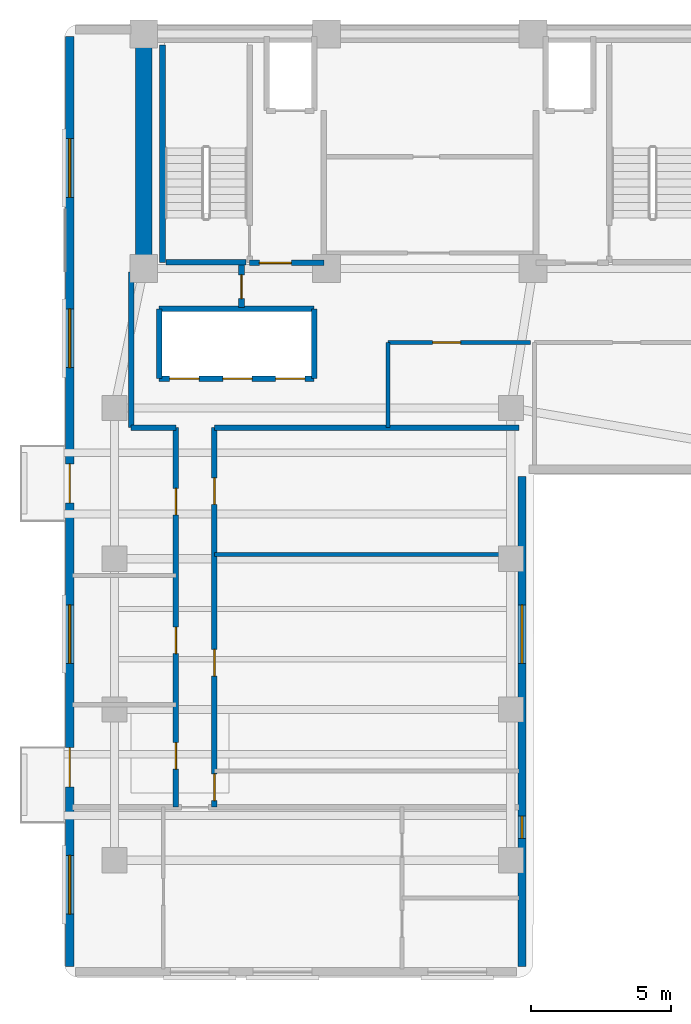
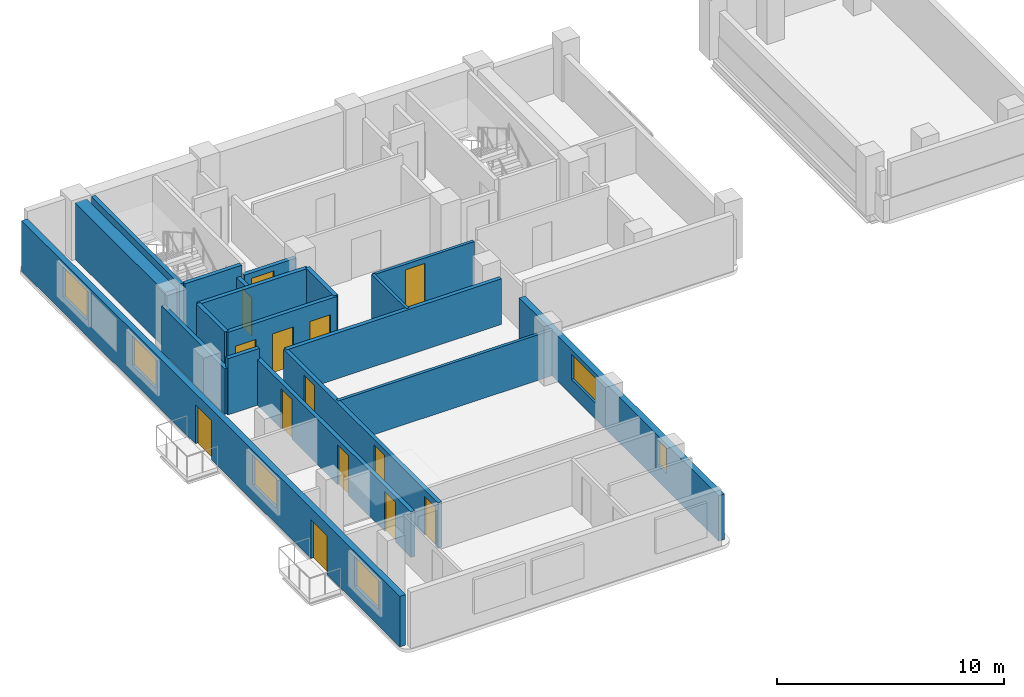
# One storey, part 6 of 9: 19 walls, 14 doors, 6 windows, 20 openings.
"""IFC4 building model written with IfcOpenShell, lengths in metres."""

from ifc_helpers import new_model, si_unit, direction, frame, frame_2d, origin, place, context, subcontext, project, spatial, rectangle, extrude, material, layer, layer_set, type_object, element, fill, save


model = new_model("IFC4")

# Units and contexts
model_context = context("Model", 3, precision=1e-05, world=origin(), true_north=direction((0.0, 1.0)))
body_context = subcontext(model_context, "Body", "Model", "MODEL_VIEW")
ifc_project = project(units=[si_unit("LENGTHUNIT", "METRE"), si_unit("AREAUNIT", "SQUARE_METRE"), si_unit("VOLUMEUNIT", "CUBIC_METRE"), si_unit("PLANEANGLEUNIT", "RADIAN"), si_unit("MASSUNIT", "GRAM", prefix="KILO")], contexts=[model_context])

# Site, building, storey
site_placement = place(None, origin())
site = spatial("IfcSite", under=ifc_project, at=site_placement, CompositionType="ELEMENT")
building_placement = place(site_placement, origin())
building = spatial("IfcBuilding", under=site, at=building_placement, Name="Kuzgunbayir Cultural Tower", CompositionType="ELEMENT")
storey_placement = place(building_placement, frame((0.0, 0.0, 166.39990234375)))
storey = spatial("IfcBuildingStorey", under=building, at=storey_placement, Name="L48", CompositionType="ELEMENT", Elevation=166.39990234375)

# Wall
ifc_material_1 = material(Name="Concrete C60/75", Category="concrete")
ifc_layer_1 = layer(ifc_material_1, 0.60009765625)
ifc_layer_set_1 = layer_set([ifc_layer_1], Name="Concrete C60/75")
wall_type_1 = type_object("IfcWallType", Name="WAL-CORE-600", PredefinedType="SHEAR", material=ifc_layer_set_1)
wall_1_placement = place(storey_placement, frame((6.449951171875, 33.800048828125, 0.0), z_axis=(0.0, 0.0, 1.0), x_axis=(0.0, 1.0, 0.0)))
element("IfcWall", 1, at=wall_1_placement, inside=storey, type_object=wall_type_1, Name="L48 T1 Core West Shear Wall", PredefinedType="SHEAR", context=body_context, shape_type="SweptSolid", body=[
    extrude(rectangle(XDim=7.949951171875, YDim=0.60009765625, at=frame_2d((3.97509765625, 0.0))), origin(), (0.0, 0.0, 1.0), 3.02001953125),
])

# Wall, openings, doors, windows
ifc_material_2 = material(Name="Anatolian Cream Limestone", Category="masonry")
ifc_layer_2 = layer(ifc_material_2, 0.300048828125)
ifc_layer_set_2 = layer_set([ifc_layer_2], Name="Anatolian Cream Limestone")
wall_type_2 = type_object("IfcWallType", Name="WAL-EXT-STONE-300", PredefinedType="STANDARD", material=ifc_layer_set_2)
wall_2_placement = place(storey_placement, frame((3.800048828125, 42.10009765625, 0.0), z_axis=(0.0, 0.0, 1.0), x_axis=(0.0, -1.0, 0.0)))
wall_2 = element("IfcWall", 2, at=wall_2_placement, inside=storey, type_object=wall_type_2, Name="L48 Wing A West Limestone Wall", PredefinedType="STANDARD", context=body_context, shape_type="SweptSolid", body=[
    extrude(rectangle(XDim=33.300048828125, YDim=0.300048828125, at=frame_2d((16.64990234375, 0.0))), origin(), (0.0, 0.0, 1.0), 2.710205078125),
])
opening_1_placement = place(wall_2_placement, frame((25.469970703125, 0.0, 0.0)))
opening_1 = element("IfcOpeningElement", 3, at=opening_1_placement, cuts=wall_2, Name="Opening BD-15", PredefinedType="OPENING", context=body_context, shape_type="SweptSolid", body=[
    extrude(rectangle(XDim=1.39990234375, YDim=2.10009765625, at=frame_2d((0.699951171875, 1.050048828125))), frame((0.0, 0.16015625, 0.0), z_axis=(0.0, -1.0, 0.0), x_axis=(1.0, 0.0, 0.0)), (0.0, 0.0, 1.0), 0.320068359375),
])
opening_2_placement = place(wall_2_placement, frame((15.300048828125, 0.0, 0.0)))
opening_2 = element("IfcOpeningElement", 4, at=opening_2_placement, cuts=wall_2, Name="Opening BD-15", PredefinedType="OPENING", context=body_context, shape_type="SweptSolid", body=[
    extrude(rectangle(XDim=1.39990234375, YDim=2.10009765625, at=frame_2d((0.699951171875, 1.050048828125))), frame((0.0, 0.16015625, 0.0), z_axis=(0.0, -1.0, 0.0), x_axis=(1.0, 0.0, 0.0)), (0.0, 0.0, 1.0), 0.320068359375),
])
opening_3_placement = place(wall_2_placement, frame((29.330078125, 0.0, 0.85009765625)))
opening_3 = element("IfcOpeningElement", 5, at=opening_3_placement, cuts=wall_2, Name="Opening WR-21", PredefinedType="OPENING", context=body_context, shape_type="SweptSolid", body=[
    extrude(rectangle(XDim=2.10009765625, YDim=1.610107421875, at=frame_2d((1.050048828125, 0.80517578125))), frame((0.0, 0.16015625, 0.0), z_axis=(0.0, -1.0, 0.0), x_axis=(1.0, 0.0, 0.0)), (0.0, 0.0, 1.0), 0.320068359375),
])
opening_4_placement = place(wall_2_placement, frame((20.35009765625, 0.0, 0.85009765625)))
opening_4 = element("IfcOpeningElement", 6, at=opening_4_placement, cuts=wall_2, Name="Opening WR-21", PredefinedType="OPENING", context=body_context, shape_type="SweptSolid", body=[
    extrude(rectangle(XDim=2.10009765625, YDim=1.610107421875, at=frame_2d((1.050048828125, 0.80517578125))), frame((0.0, 0.16015625, 0.0), z_axis=(0.0, -1.0, 0.0), x_axis=(1.0, 0.0, 0.0)), (0.0, 0.0, 1.0), 0.320068359375),
])
opening_5_placement = place(wall_2_placement, frame((9.75, 0.0, 0.85009765625)))
opening_5 = element("IfcOpeningElement", 7, at=opening_5_placement, cuts=wall_2, Name="Opening WR-21", PredefinedType="OPENING", context=body_context, shape_type="SweptSolid", body=[
    extrude(rectangle(XDim=2.10009765625, YDim=1.610107421875, at=frame_2d((1.050048828125, 0.80517578125))), frame((0.0, 0.16015625, 0.0), z_axis=(0.0, -1.0, 0.0), x_axis=(1.0, 0.0, 0.0)), (0.0, 0.0, 1.0), 0.320068359375),
])
opening_6_placement = place(wall_2_placement, frame((3.64990234375, 0.0, 0.85009765625)))
opening_6 = element("IfcOpeningElement", 8, at=opening_6_placement, cuts=wall_2, Name="Opening WR-21", PredefinedType="OPENING", context=body_context, shape_type="SweptSolid", body=[
    extrude(rectangle(XDim=2.10009765625, YDim=1.610107421875, at=frame_2d((1.050048828125, 0.80517578125))), frame((0.0, 0.16015625, 0.0), z_axis=(0.0, -1.0, 0.0), x_axis=(1.0, 0.0, 0.0)), (0.0, 0.0, 1.0), 0.320068359375),
])
ifc_material_3 = material(Name="Thermally Broken Glazed Aluminium", Category="aluminium")
door_type_1 = type_object("IfcDoorType", Name="DR-BALCONY-150", OperationType="SLIDING_TO_RIGHT", PredefinedType="DOOR", material=ifc_material_3)
door_1_placement = place(opening_1_placement, origin())
door_1 = element("IfcDoor", 9, at=door_1_placement, inside=storey, type_object=door_type_1, Name="L48 West Balcony Sliding Door BAL-L48-WA1", OperationType="SLIDING_TO_RIGHT", OverallHeight=2.10009765625, OverallWidth=1.39990234375, PredefinedType="DOOR", context=body_context, shape_type="SweptSolid", body=[
    extrude(rectangle(XDim=1.39990234375, YDim=2.10009765625, at=frame_2d((0.699951171875, 1.050048828125))), frame((0.0, 0.02490234375, 0.0), z_axis=(0.0, -1.0, 0.0), x_axis=(1.0, 0.0, 0.0)), (0.0, 0.0, 1.0), 0.050048828125),
])
fill(opening_1, door_1)
door_2_placement = place(opening_2_placement, origin())
door_2 = element("IfcDoor", 10, at=door_2_placement, inside=storey, type_object=door_type_1, Name="L48 West Balcony Sliding Door BAL-L48-WA3", OperationType="SLIDING_TO_RIGHT", OverallHeight=2.10009765625, OverallWidth=1.39990234375, PredefinedType="DOOR", context=body_context, shape_type="SweptSolid", body=[
    extrude(rectangle(XDim=1.39990234375, YDim=2.10009765625, at=frame_2d((0.699951171875, 1.050048828125))), frame((0.0, 0.02490234375, 0.0), z_axis=(0.0, -1.0, 0.0), x_axis=(1.0, 0.0, 0.0)), (0.0, 0.0, 1.0), 0.050048828125),
])
fill(opening_2, door_2)
ifc_material_4 = material(Name="Solar-Control Triple Glazing", Category="glass")
window_type_1 = type_object("IfcWindowType", Name="WIN-RESID-21", PartitioningType="SINGLE_PANEL", PredefinedType="WINDOW", material=ifc_material_4)
window_1_placement = place(opening_3_placement, origin())
window_1 = element("IfcWindow", 11, at=window_1_placement, inside=storey, type_object=window_type_1, Name="L48 WAW Facade Window 1", OverallHeight=1.610107421875, OverallWidth=2.10009765625, PartitioningType="SINGLE_PANEL", PredefinedType="WINDOW", context=body_context, shape_type="SweptSolid", body=[
    extrude(rectangle(XDim=2.10009765625, YDim=1.610107421875, at=frame_2d((1.050048828125, 0.80517578125))), frame((0.0, 0.030029296875, 0.0), z_axis=(0.0, -1.0, 0.0), x_axis=(1.0, 0.0, 0.0)), (0.0, 0.0, 1.0), 0.06005859375),
])
fill(opening_3, window_1)
window_2_placement = place(opening_4_placement, origin())
window_2 = element("IfcWindow", 12, at=window_2_placement, inside=storey, type_object=window_type_1, Name="L48 WAW Facade Window 5", OverallHeight=1.610107421875, OverallWidth=2.10009765625, PartitioningType="SINGLE_PANEL", PredefinedType="WINDOW", context=body_context, shape_type="SweptSolid", body=[
    extrude(rectangle(XDim=2.10009765625, YDim=1.610107421875, at=frame_2d((1.050048828125, 0.80517578125))), frame((0.0, 0.030029296875, 0.0), z_axis=(0.0, -1.0, 0.0), x_axis=(1.0, 0.0, 0.0)), (0.0, 0.0, 1.0), 0.06005859375),
])
fill(opening_4, window_2)
window_3_placement = place(opening_5_placement, origin())
window_3 = element("IfcWindow", 13, at=window_3_placement, inside=storey, type_object=window_type_1, Name="L48 WAW Facade Window 6", OverallHeight=1.610107421875, OverallWidth=2.10009765625, PartitioningType="SINGLE_PANEL", PredefinedType="WINDOW", context=body_context, shape_type="SweptSolid", body=[
    extrude(rectangle(XDim=2.10009765625, YDim=1.610107421875, at=frame_2d((1.050048828125, 0.80517578125))), frame((0.0, 0.030029296875, 0.0), z_axis=(0.0, -1.0, 0.0), x_axis=(1.0, 0.0, 0.0)), (0.0, 0.0, 1.0), 0.06005859375),
])
fill(opening_5, window_3)
window_4_placement = place(opening_6_placement, origin())
window_4 = element("IfcWindow", 14, at=window_4_placement, inside=storey, type_object=window_type_1, Name="L48 WAW Facade Window 7", OverallHeight=1.610107421875, OverallWidth=2.10009765625, PartitioningType="SINGLE_PANEL", PredefinedType="WINDOW", context=body_context, shape_type="SweptSolid", body=[
    extrude(rectangle(XDim=2.10009765625, YDim=1.610107421875, at=frame_2d((1.050048828125, 0.80517578125))), frame((0.0, 0.030029296875, 0.0), z_axis=(0.0, -1.0, 0.0), x_axis=(1.0, 0.0, 0.0)), (0.0, 0.0, 1.0), 0.06005859375),
])
fill(opening_6, window_4)

# Wall, openings, windows
wall_3_placement = place(storey_placement, frame((20.0, 8.800048828125, 0.0), z_axis=(0.0, 0.0, 1.0), x_axis=(0.0, 1.0, 0.0)))
wall_3 = element("IfcWall", 15, at=wall_3_placement, inside=storey, type_object=wall_type_2, Name="L48 Wing A East Limestone Wall", PredefinedType="STANDARD", context=body_context, shape_type="SweptSolid", body=[
    extrude(rectangle(XDim=17.550048828125, YDim=0.300048828125, at=frame_2d((8.77490234375, 0.0))), origin(), (0.0, 0.0, 1.0), 2.4501953125),
])
opening_7_placement = place(wall_3_placement, frame((4.580078125, 0.0, 0.85009765625)))
opening_7 = element("IfcOpeningElement", 16, at=opening_7_placement, cuts=wall_3, Name="Opening WN-08", PredefinedType="OPENING", context=body_context, shape_type="SweptSolid", body=[
    extrude(rectangle(XDim=0.800048828125, YDim=1.35009765625, at=frame_2d((0.39990234375, 0.675048828125))), frame((0.0, 0.16015625, 0.0), z_axis=(0.0, -1.0, 0.0), x_axis=(1.0, 0.0, 0.0)), (0.0, 0.0, 1.0), 0.320068359375),
])
opening_8_placement = place(wall_3_placement, frame((10.85009765625, 0.0, 0.85009765625)))
opening_8 = element("IfcOpeningElement", 17, at=opening_8_placement, cuts=wall_3, Name="Opening WR-21", PredefinedType="OPENING", context=body_context, shape_type="SweptSolid", body=[
    extrude(rectangle(XDim=2.10009765625, YDim=1.35009765625, at=frame_2d((1.050048828125, 0.675048828125))), frame((0.0, 0.16015625, 0.0), z_axis=(0.0, -1.0, 0.0), x_axis=(1.0, 0.0, 0.0)), (0.0, 0.0, 1.0), 0.320068359375),
])
window_type_2 = type_object("IfcWindowType", Name="WIN-NARROW-80", PartitioningType="SINGLE_PANEL", PredefinedType="WINDOW", material=ifc_material_4)
window_5_placement = place(opening_7_placement, origin())
window_5 = element("IfcWindow", 18, at=window_5_placement, inside=storey, type_object=window_type_2, Name="L48 WAE Facade Window 4", OverallHeight=1.35009765625, OverallWidth=0.800048828125, PartitioningType="SINGLE_PANEL", PredefinedType="WINDOW", context=body_context, shape_type="SweptSolid", body=[
    extrude(rectangle(XDim=0.800048828125, YDim=1.35009765625, at=frame_2d((0.39990234375, 0.675048828125))), frame((0.0, 0.030029296875, 0.0), z_axis=(0.0, -1.0, 0.0), x_axis=(1.0, 0.0, 0.0)), (0.0, 0.0, 1.0), 0.06005859375),
])
fill(opening_7, window_5)
window_6_placement = place(opening_8_placement, origin())
window_6 = element("IfcWindow", 19, at=window_6_placement, inside=storey, type_object=window_type_1, Name="L48 WAE Facade Window 8", OverallHeight=1.35009765625, OverallWidth=2.10009765625, PartitioningType="SINGLE_PANEL", PredefinedType="WINDOW", context=body_context, shape_type="SweptSolid", body=[
    extrude(rectangle(XDim=2.10009765625, YDim=1.35009765625, at=frame_2d((1.050048828125, 0.675048828125))), frame((0.0, 0.030029296875, 0.0), z_axis=(0.0, -1.0, 0.0), x_axis=(1.0, 0.0, 0.0)), (0.0, 0.0, 1.0), 0.06005859375),
])
fill(opening_8, window_6)

# Wall, opening, door
ifc_material_5 = material(Name="Acoustic Double-Stud Drywall", Category="gypsum")
ifc_layer_3 = layer(ifc_material_5, 0.14990234375)
ifc_layer_set_3 = layer_set([ifc_layer_3], Name="Acoustic Double-Stud Drywall")
wall_type_3 = type_object("IfcWallType", Name="WAL-PART-ACOUSTIC-150", PredefinedType="PARTITIONING", material=ifc_layer_set_3)
wall_4_placement = place(storey_placement, frame((15.199951171875, 31.14990234375, 0.0), z_axis=(0.0, 0.0, 1.0), x_axis=(1.0, 0.0, 0.0)))
wall_4 = element("IfcWall", 20, at=wall_4_placement, inside=storey, type_object=wall_type_3, Name="L48 Central Sky Salon North Wall", PredefinedType="PARTITIONING", context=body_context, shape_type="SweptSolid", body=[
    extrude(rectangle(XDim=5.10009765625, YDim=0.14990234375, at=frame_2d((2.550048828125, 0.0))), origin(), (0.0, 0.0, 1.0), 2.4501953125),
])
opening_9_placement = place(wall_4_placement, frame((1.60009765625, 0.0, 0.0)))
opening_9 = element("IfcOpeningElement", 21, at=opening_9_placement, cuts=wall_4, Name="Opening DI-100", PredefinedType="OPENING", context=body_context, shape_type="SweptSolid", body=[
    extrude(rectangle(XDim=1.0, YDim=2.14990234375, at=frame_2d((0.5, 1.074951171875))), frame((0.0, 0.0849609375, 0.0), z_axis=(0.0, -1.0, 0.0), x_axis=(1.0, 0.0, 0.0)), (0.0, 0.0, 1.0), 0.169921875),
])
ifc_material_6 = material(Name="Veneered Oak Single Leaf", Category="wood")
door_type_2 = type_object("IfcDoorType", Name="DR-INT-100", OperationType="NOTDEFINED", PredefinedType="DOOR", material=ifc_material_6)
door_3_placement = place(opening_9_placement, origin())
door_3 = element("IfcDoor", 22, at=door_3_placement, inside=storey, type_object=door_type_2, Name="L48 Central Sky Salon Door", OperationType="SINGLE_SWING_RIGHT", OverallHeight=2.14990234375, OverallWidth=1.0, PredefinedType="DOOR", context=body_context, shape_type="SweptSolid", body=[
    extrude(rectangle(XDim=1.0, YDim=2.14990234375, at=frame_2d((0.5, 1.074951171875))), frame((0.0, 0.02490234375, 0.0), z_axis=(0.0, -1.0, 0.0), x_axis=(1.0, 0.0, 0.0)), (0.0, 0.0, 1.0), 0.050048828125),
])
fill(opening_9, door_3)

# Walls
wall_5_placement = place(storey_placement, frame((15.199951171875, 28.10009765625, 0.0), z_axis=(0.0, 0.0, 1.0), x_axis=(0.0, 1.0, 0.0)))
element("IfcWall", 23, at=wall_5_placement, inside=storey, type_object=wall_type_3, Name="L48 Central Sky Salon West Wall", PredefinedType="PARTITIONING", context=body_context, shape_type="SweptSolid", body=[
    extrude(rectangle(XDim=3.0498046875, YDim=0.14990234375, at=frame_2d((1.52490234375, 0.0))), origin(), (0.0, 0.0, 1.0), 2.4501953125),
])
wall_6_placement = place(storey_placement, frame((8.97998046875, 23.550048828125, 0.0), z_axis=(0.0, 0.0, 1.0), x_axis=(1.0, 0.0, 0.0)))
element("IfcWall", 24, at=wall_6_placement, inside=storey, type_object=wall_type_3, Name="L48 East Divider 1", PredefinedType="PARTITIONING", context=body_context, shape_type="SweptSolid", body=[
    extrude(rectangle(XDim=10.919921875, YDim=0.14990234375, at=frame_2d((5.4599609375, 0.0))), origin(), (0.0, 0.0, 1.0), 2.4501953125),
])

# Wall, opening, door
ifc_material_7 = material(Name="Aerated Concrete Blockwork", Category="masonry")
ifc_layer_4 = layer(ifc_material_7, 0.199951171875)
ifc_layer_set_4 = layer_set([ifc_layer_4], Name="Aerated Concrete Blockwork")
wall_type_4 = type_object("IfcWallType", Name="WAL-PART-FIRE-200", PredefinedType="PARTITIONING", material=ifc_layer_set_4)
wall_7_placement = place(storey_placement, frame((10.239990234375, 34.0, 0.0), z_axis=(0.0, 0.0, 1.0), x_axis=(1.0, 0.0, 0.0)))
wall_7 = element("IfcWall", 25, at=wall_7_placement, inside=storey, type_object=wall_type_4, Name="L48 FFL-1 Lobby South Fire Wall", PredefinedType="PARTITIONING", context=body_context, shape_type="SweptSolid", body=[
    extrude(rectangle(XDim=2.659912109375, YDim=0.199951171875, at=frame_2d((1.330078125, 0.0))), origin(), (0.0, 0.0, 1.0), 2.4501953125),
])
opening_10_placement = place(wall_7_placement, frame((0.35009765625, 0.0, 0.0)))
opening_10 = element("IfcOpeningElement", 26, at=opening_10_placement, cuts=wall_7, Name="Opening DR-FFL-90", PredefinedType="OPENING", context=body_context, shape_type="SweptSolid", body=[
    extrude(rectangle(XDim=1.14990234375, YDim=2.14990234375, at=frame_2d((0.574951171875, 1.074951171875))), frame((0.0, 0.10986328125, 0.0), z_axis=(0.0, -1.0, 0.0), x_axis=(1.0, 0.0, 0.0)), (0.0, 0.0, 1.0), 0.219970703125),
])
ifc_material_8 = material(Name="Steel S355J2", Category="steel")
door_type_3 = type_object("IfcDoorType", Name="DR-FFL-90", OperationType="NOTDEFINED", PredefinedType="DOOR", material=ifc_material_8)
door_4_placement = place(opening_10_placement, origin())
door_4 = element("IfcDoor", 27, at=door_4_placement, inside=storey, type_object=door_type_3, Name="L48 Firefighting Lobby 1 Door", OperationType="SINGLE_SWING_LEFT", OverallHeight=2.14990234375, OverallWidth=1.14990234375, PredefinedType="DOOR", context=body_context, shape_type="SweptSolid", body=[
    extrude(rectangle(XDim=1.14990234375, YDim=2.14990234375, at=frame_2d((0.574951171875, 1.074951171875))), frame((0.0, 0.02490234375, 0.0), z_axis=(0.0, -1.0, 0.0), x_axis=(1.0, 0.0, 0.0)), (0.0, 0.0, 1.0), 0.050048828125),
])
fill(opening_10, door_4)

wall_8_placement = place(storey_placement, frame((9.949951171875, 32.39990234375, 0.0), z_axis=(0.0, 0.0, 1.0), x_axis=(0.0, 1.0, 0.0)))
wall_8 = element("IfcWall", 28, at=wall_8_placement, inside=storey, type_object=wall_type_4, Name="L48 West Core Service Closet Wall", PredefinedType="PARTITIONING", context=body_context, shape_type="SweptSolid", body=[
    extrude(rectangle(XDim=1.52001953125, YDim=0.199951171875, at=frame_2d((0.760009765625, 0.0))), origin(), (0.0, 0.0, 1.0), 2.4501953125),
])
opening_11_placement = place(wall_8_placement, frame((0.320068359375, 0.0, 0.0)))
opening_11 = element("IfcOpeningElement", 29, at=opening_11_placement, cuts=wall_8, Name="Opening DR-RSR-60", PredefinedType="OPENING", context=body_context, shape_type="SweptSolid", body=[
    extrude(rectangle(XDim=0.85009765625, YDim=2.050048828125, at=frame_2d((0.425048828125, 1.02490234375))), frame((0.0, 0.10986328125, 0.0), z_axis=(0.0, -1.0, 0.0), x_axis=(1.0, 0.0, 0.0)), (0.0, 0.0, 1.0), 0.219970703125),
])
ifc_material_9 = material(Name="Steel Access Leaf", Category="steel")
door_type_4 = type_object("IfcDoorType", Name="DR-RISER-60", OperationType="NOTDEFINED", PredefinedType="DOOR", material=ifc_material_9)
door_5_placement = place(opening_11_placement, origin())
door_5 = element("IfcDoor", 30, at=door_5_placement, inside=storey, type_object=door_type_4, Name="L48 Cleaner Utility Store Door", OperationType="SINGLE_SWING_LEFT", OverallHeight=2.050048828125, OverallWidth=0.85009765625, PredefinedType="DOOR", context=body_context, shape_type="SweptSolid", body=[
    extrude(rectangle(XDim=0.85009765625, YDim=2.050048828125, at=frame_2d((0.425048828125, 1.02490234375))), frame((0.0, 0.02490234375, 0.0), z_axis=(0.0, -1.0, 0.0), x_axis=(1.0, 0.0, 0.0)), (0.0, 0.0, 1.0), 0.050048828125),
])
fill(opening_11, door_5)

# Wall, openings, doors
wall_9_placement = place(storey_placement, frame((7.60009765625, 14.5, 0.0), z_axis=(0.0, 0.0, 1.0), x_axis=(0.0, 1.0, 0.0)))
wall_9 = element("IfcWall", 31, at=wall_9_placement, inside=storey, type_object=wall_type_4, Name="L48 Wing A West Corridor Wall", PredefinedType="PARTITIONING", context=body_context, shape_type="SweptSolid", body=[
    extrude(rectangle(XDim=13.60009765625, YDim=0.199951171875, at=frame_2d((6.800048828125, 0.0))), origin(), (0.0, 0.0, 1.0), 2.4501953125),
])
opening_12_placement = place(wall_9_placement, frame((1.360107421875, 0.0, 0.0)))
opening_12 = element("IfcOpeningElement", 32, at=opening_12_placement, cuts=wall_9, Name="Opening DI-90", PredefinedType="OPENING", context=body_context, shape_type="SweptSolid", body=[
    extrude(rectangle(XDim=0.949951171875, YDim=2.14990234375, at=frame_2d((0.47509765625, 1.074951171875))), frame((0.0, 0.10986328125, 0.0), z_axis=(0.0, -1.0, 0.0), x_axis=(1.0, 0.0, 0.0)), (0.0, 0.0, 1.0), 0.219970703125),
])
opening_13_placement = place(wall_9_placement, frame((5.5, 0.0, 0.0)))
opening_13 = element("IfcOpeningElement", 33, at=opening_13_placement, cuts=wall_9, Name="Opening DI-90", PredefinedType="OPENING", context=body_context, shape_type="SweptSolid", body=[
    extrude(rectangle(XDim=0.949951171875, YDim=2.14990234375, at=frame_2d((0.47509765625, 1.074951171875))), frame((0.0, 0.10986328125, 0.0), z_axis=(0.0, -1.0, 0.0), x_axis=(1.0, 0.0, 0.0)), (0.0, 0.0, 1.0), 0.219970703125),
])
opening_14_placement = place(wall_9_placement, frame((10.469970703125, 0.0, 0.0)))
opening_14 = element("IfcOpeningElement", 34, at=opening_14_placement, cuts=wall_9, Name="Opening DI-90", PredefinedType="OPENING", context=body_context, shape_type="SweptSolid", body=[
    extrude(rectangle(XDim=0.949951171875, YDim=2.14990234375, at=frame_2d((0.47509765625, 1.074951171875))), frame((0.0, 0.10986328125, 0.0), z_axis=(0.0, -1.0, 0.0), x_axis=(1.0, 0.0, 0.0)), (0.0, 0.0, 1.0), 0.219970703125),
])
door_type_5 = type_object("IfcDoorType", Name="DR-INT-90", OperationType="NOTDEFINED", PredefinedType="DOOR", material=ifc_material_6)
door_6_placement = place(opening_12_placement, origin())
door_6 = element("IfcDoor", 35, at=door_6_placement, inside=storey, type_object=door_type_5, Name="L48 Curatorial Office W1 Door", OperationType="SINGLE_SWING_LEFT", OverallHeight=2.14990234375, OverallWidth=0.949951171875, PredefinedType="DOOR", context=body_context, shape_type="SweptSolid", body=[
    extrude(rectangle(XDim=0.949951171875, YDim=2.14990234375, at=frame_2d((0.47509765625, 1.074951171875))), frame((0.0, 0.02490234375, 0.0), z_axis=(0.0, -1.0, 0.0), x_axis=(1.0, 0.0, 0.0)), (0.0, 0.0, 1.0), 0.050048828125),
])
fill(opening_12, door_6)
door_7_placement = place(opening_13_placement, origin())
door_7 = element("IfcDoor", 36, at=door_7_placement, inside=storey, type_object=door_type_5, Name="L48 Curatorial Office W2 Door", OperationType="SINGLE_SWING_RIGHT", OverallHeight=2.14990234375, OverallWidth=0.949951171875, PredefinedType="DOOR", context=body_context, shape_type="SweptSolid", body=[
    extrude(rectangle(XDim=0.949951171875, YDim=2.14990234375, at=frame_2d((0.47509765625, 1.074951171875))), frame((0.0, 0.02490234375, 0.0), z_axis=(0.0, -1.0, 0.0), x_axis=(1.0, 0.0, 0.0)), (0.0, 0.0, 1.0), 0.050048828125),
])
fill(opening_13, door_7)
door_8_placement = place(opening_14_placement, origin())
door_8 = element("IfcDoor", 37, at=door_8_placement, inside=storey, type_object=door_type_5, Name="L48 Wellness Consultation Studio W3 Door", OperationType="SINGLE_SWING_LEFT", OverallHeight=2.14990234375, OverallWidth=0.949951171875, PredefinedType="DOOR", context=body_context, shape_type="SweptSolid", body=[
    extrude(rectangle(XDim=0.949951171875, YDim=2.14990234375, at=frame_2d((0.47509765625, 1.074951171875))), frame((0.0, 0.02490234375, 0.0), z_axis=(0.0, -1.0, 0.0), x_axis=(1.0, 0.0, 0.0)), (0.0, 0.0, 1.0), 0.050048828125),
])
fill(opening_14, door_8)

wall_10_placement = place(storey_placement, frame((8.97998046875, 14.5, 0.0), z_axis=(0.0, 0.0, 1.0), x_axis=(0.0, 1.0, 0.0)))
wall_10 = element("IfcWall", 38, at=wall_10_placement, inside=storey, type_object=wall_type_4, Name="L48 Wing A East Corridor Wall", PredefinedType="PARTITIONING", context=body_context, shape_type="SweptSolid", body=[
    extrude(rectangle(XDim=13.60009765625, YDim=0.199951171875, at=frame_2d((6.800048828125, 0.0))), origin(), (0.0, 0.0, 1.0), 2.4501953125),
])
opening_15_placement = place(wall_10_placement, frame((0.239990234375, 0.0, 0.0)))
opening_15 = element("IfcOpeningElement", 39, at=opening_15_placement, cuts=wall_10, Name="Opening DW-95", PredefinedType="OPENING", context=body_context, shape_type="SweptSolid", body=[
    extrude(rectangle(XDim=0.949951171875, YDim=2.10009765625, at=frame_2d((0.47509765625, 1.050048828125))), frame((0.0, 0.10986328125, 0.0), z_axis=(0.0, -1.0, 0.0), x_axis=(1.0, 0.0, 0.0)), (0.0, 0.0, 1.0), 0.219970703125),
])
opening_16_placement = place(wall_10_placement, frame((4.699951171875, 0.0, 0.0)))
opening_16 = element("IfcOpeningElement", 40, at=opening_16_placement, cuts=wall_10, Name="Opening DI-90", PredefinedType="OPENING", context=body_context, shape_type="SweptSolid", body=[
    extrude(rectangle(XDim=0.949951171875, YDim=2.14990234375, at=frame_2d((0.47509765625, 1.074951171875))), frame((0.0, 0.10986328125, 0.0), z_axis=(0.0, -1.0, 0.0), x_axis=(1.0, 0.0, 0.0)), (0.0, 0.0, 1.0), 0.219970703125),
])
opening_17_placement = place(wall_10_placement, frame((10.85009765625, 0.0, 0.0)))
opening_17 = element("IfcOpeningElement", 41, at=opening_17_placement, cuts=wall_10, Name="Opening DI-90", PredefinedType="OPENING", context=body_context, shape_type="SweptSolid", body=[
    extrude(rectangle(XDim=0.949951171875, YDim=2.14990234375, at=frame_2d((0.47509765625, 1.074951171875))), frame((0.0, 0.10986328125, 0.0), z_axis=(0.0, -1.0, 0.0), x_axis=(1.0, 0.0, 0.0)), (0.0, 0.0, 1.0), 0.219970703125),
])
door_9_placement = place(opening_16_placement, origin())
door_9 = element("IfcDoor", 42, at=door_9_placement, inside=storey, type_object=door_type_5, Name="L48 East Curatorial Office E1 Door", OperationType="SINGLE_SWING_LEFT", OverallHeight=2.14990234375, OverallWidth=0.949951171875, PredefinedType="DOOR", context=body_context, shape_type="SweptSolid", body=[
    extrude(rectangle(XDim=0.949951171875, YDim=2.14990234375, at=frame_2d((0.47509765625, 1.074951171875))), frame((0.0, 0.02490234375, 0.0), z_axis=(0.0, -1.0, 0.0), x_axis=(1.0, 0.0, 0.0)), (0.0, 0.0, 1.0), 0.050048828125),
])
fill(opening_16, door_9)
door_10_placement = place(opening_17_placement, origin())
door_10 = element("IfcDoor", 43, at=door_10_placement, inside=storey, type_object=door_type_5, Name="L48 East Fellows Reading Lounge E2 Door", OperationType="SINGLE_SWING_RIGHT", OverallHeight=2.14990234375, OverallWidth=0.949951171875, PredefinedType="DOOR", context=body_context, shape_type="SweptSolid", body=[
    extrude(rectangle(XDim=0.949951171875, YDim=2.14990234375, at=frame_2d((0.47509765625, 1.074951171875))), frame((0.0, 0.02490234375, 0.0), z_axis=(0.0, -1.0, 0.0), x_axis=(1.0, 0.0, 0.0)), (0.0, 0.0, 1.0), 0.050048828125),
])
fill(opening_17, door_10)
ifc_material_10 = material(Name="Laminate Moisture-Resistant Leaf", Category="wood")
door_type_6 = type_object("IfcDoorType", Name="DR-WET-95", OperationType="NOTDEFINED", PredefinedType="DOOR", material=ifc_material_10)
door_11_placement = place(opening_15_placement, origin())
door_11 = element("IfcDoor", 44, at=door_11_placement, inside=storey, type_object=door_type_6, Name="L48 Visitor Accessible WC Door", OperationType="SINGLE_SWING_RIGHT", OverallHeight=2.10009765625, OverallWidth=0.949951171875, PredefinedType="DOOR", context=body_context, shape_type="SweptSolid", body=[
    extrude(rectangle(XDim=0.949951171875, YDim=2.10009765625, at=frame_2d((0.47509765625, 1.050048828125))), frame((0.0, 0.02490234375, 0.0), z_axis=(0.0, -1.0, 0.0), x_axis=(1.0, 0.0, 0.0)), (0.0, 0.0, 1.0), 0.050048828125),
])
fill(opening_15, door_11)

# Walls
wall_11_placement = place(storey_placement, frame((6.0, 28.10009765625, 0.0), z_axis=(0.0, 0.0, 1.0), x_axis=(1.0, 0.0, 0.0)))
element("IfcWall", 45, at=wall_11_placement, inside=storey, type_object=wall_type_4, Name="L48 North West Partition", PredefinedType="PARTITIONING", context=body_context, shape_type="SweptSolid", body=[
    extrude(rectangle(XDim=1.60009765625, YDim=0.199951171875, at=frame_2d((0.800048828125, 0.0))), origin(), (0.0, 0.0, 1.0), 3.02001953125),
])
wall_12_placement = place(storey_placement, frame((6.0, 28.10009765625, 0.0), z_axis=(0.0, 0.0, 1.0), x_axis=(0.0, 1.0, 0.0)))
element("IfcWall", 46, at=wall_12_placement, inside=storey, type_object=wall_type_4, Name="L48 North West Gallery Wing Wall", PredefinedType="PARTITIONING", context=body_context, shape_type="SweptSolid", body=[
    extrude(rectangle(XDim=5.579833984375, YDim=0.199951171875, at=frame_2d((2.7900390625, 0.0))), origin(), (0.0, 0.0, 1.0), 2.4501953125),
])
wall_13_placement = place(storey_placement, frame((8.97998046875, 28.10009765625, 0.0), z_axis=(0.0, 0.0, 1.0), x_axis=(1.0, 0.0, 0.0)))
element("IfcWall", 47, at=wall_13_placement, inside=storey, type_object=wall_type_4, Name="L48 North East Partition", PredefinedType="PARTITIONING", context=body_context, shape_type="SweptSolid", body=[
    extrude(rectangle(XDim=10.919921875, YDim=0.199951171875, at=frame_2d((5.4599609375, 0.0))), origin(), (0.0, 0.0, 1.0), 2.4501953125),
])

# Wall, openings, doors
ifc_material_11 = material(Name="Concrete C40/50", Category="concrete")
ifc_layer_5 = layer(ifc_material_11, 0.199951171875)
ifc_layer_set_5 = layer_set([ifc_layer_5], Name="Concrete C40/50")
wall_type_5 = type_object("IfcWallType", Name="WAL-SHAFT-200", PredefinedType="MOVABLE", material=ifc_layer_set_5)
wall_14_placement = place(storey_placement, frame((7.0, 29.85009765625, 0.0), z_axis=(0.0, 0.0, 1.0), x_axis=(1.0, 0.0, 0.0)))
wall_14 = element("IfcWall", 48, at=wall_14_placement, inside=storey, type_object=wall_type_5, Name="L48 High-Rise Lift Shaft South Wall", PredefinedType="MOVABLE", context=body_context, shape_type="SweptSolid", body=[
    extrude(rectangle(XDim=5.550048828125, YDim=0.199951171875, at=frame_2d((2.77490234375, 0.0))), origin(), (0.0, 0.0, 1.0), 3.02001953125),
])
opening_18_placement = place(wall_14_placement, frame((0.3798828125, 0.0, 0.0)))
opening_18 = element("IfcOpeningElement", 49, at=opening_18_placement, cuts=wall_14, Name="Opening LD", PredefinedType="OPENING", context=body_context, shape_type="SweptSolid", body=[
    extrude(rectangle(XDim=1.050048828125, YDim=2.14990234375, at=frame_2d((0.52490234375, 1.074951171875))), frame((0.0, 0.10986328125, 0.0), z_axis=(0.0, -1.0, 0.0), x_axis=(1.0, 0.0, 0.0)), (0.0, 0.0, 1.0), 0.219970703125),
])
opening_19_placement = place(wall_14_placement, frame((2.280029296875, 0.0, 0.0)))
opening_19 = element("IfcOpeningElement", 50, at=opening_19_placement, cuts=wall_14, Name="Opening LD", PredefinedType="OPENING", context=body_context, shape_type="SweptSolid", body=[
    extrude(rectangle(XDim=1.050048828125, YDim=2.14990234375, at=frame_2d((0.52490234375, 1.074951171875))), frame((0.0, 0.10986328125, 0.0), z_axis=(0.0, -1.0, 0.0), x_axis=(1.0, 0.0, 0.0)), (0.0, 0.0, 1.0), 0.219970703125),
])
opening_20_placement = place(wall_14_placement, frame((4.169921875, 0.0, 0.0)))
opening_20 = element("IfcOpeningElement", 51, at=opening_20_placement, cuts=wall_14, Name="Opening LD", PredefinedType="OPENING", context=body_context, shape_type="SweptSolid", body=[
    extrude(rectangle(XDim=1.050048828125, YDim=2.14990234375, at=frame_2d((0.52490234375, 1.074951171875))), frame((0.0, 0.10986328125, 0.0), z_axis=(0.0, -1.0, 0.0), x_axis=(1.0, 0.0, 0.0)), (0.0, 0.0, 1.0), 0.219970703125),
])
ifc_material_12 = material(Name="Brushed Stainless Steel", Category="steel")
door_type_7 = type_object("IfcDoorType", Name="DR-LIFT-LANDING", OperationType="SLIDING_TO_LEFT", PredefinedType="DOOR", material=ifc_material_12)
door_12_placement = place(opening_18_placement, origin())
door_12 = element("IfcDoor", 52, at=door_12_placement, inside=storey, type_object=door_type_7, Name="L48 Lift PH-1 Landing Door", OperationType="SLIDING_TO_LEFT", OverallHeight=2.14990234375, OverallWidth=1.050048828125, PredefinedType="DOOR", context=body_context, shape_type="SweptSolid", body=[
    extrude(rectangle(XDim=1.050048828125, YDim=2.14990234375, at=frame_2d((0.52490234375, 1.074951171875))), frame((0.0, 0.02490234375, 0.0), z_axis=(0.0, -1.0, 0.0), x_axis=(1.0, 0.0, 0.0)), (0.0, 0.0, 1.0), 0.050048828125),
])
fill(opening_18, door_12)
door_13_placement = place(opening_19_placement, origin())
door_13 = element("IfcDoor", 53, at=door_13_placement, inside=storey, type_object=door_type_7, Name="L48 Lift PH-2 Landing Door", OperationType="SLIDING_TO_LEFT", OverallHeight=2.14990234375, OverallWidth=1.050048828125, PredefinedType="DOOR", context=body_context, shape_type="SweptSolid", body=[
    extrude(rectangle(XDim=1.050048828125, YDim=2.14990234375, at=frame_2d((0.52490234375, 1.074951171875))), frame((0.0, 0.02490234375, 0.0), z_axis=(0.0, -1.0, 0.0), x_axis=(1.0, 0.0, 0.0)), (0.0, 0.0, 1.0), 0.050048828125),
])
fill(opening_19, door_13)
door_14_placement = place(opening_20_placement, origin())
door_14 = element("IfcDoor", 54, at=door_14_placement, inside=storey, type_object=door_type_7, Name="L48 Lift PH-3 Landing Door", OperationType="SLIDING_TO_LEFT", OverallHeight=2.14990234375, OverallWidth=1.050048828125, PredefinedType="DOOR", context=body_context, shape_type="SweptSolid", body=[
    extrude(rectangle(XDim=1.050048828125, YDim=2.14990234375, at=frame_2d((0.52490234375, 1.074951171875))), frame((0.0, 0.02490234375, 0.0), z_axis=(0.0, -1.0, 0.0), x_axis=(1.0, 0.0, 0.0)), (0.0, 0.0, 1.0), 0.050048828125),
])
fill(opening_20, door_14)

# Walls
wall_15_placement = place(storey_placement, frame((7.0, 32.35009765625, 0.0), z_axis=(0.0, 0.0, 1.0), x_axis=(1.0, 0.0, 0.0)))
element("IfcWall", 55, at=wall_15_placement, inside=storey, type_object=wall_type_5, Name="L48 High-Rise Lift Shaft North Wall", PredefinedType="MOVABLE", context=body_context, shape_type="SweptSolid", body=[
    extrude(rectangle(XDim=5.550048828125, YDim=0.199951171875, at=frame_2d((2.77490234375, 0.0))), origin(), (0.0, 0.0, 1.0), 3.02001953125),
])
for number, where, z_axis, x_axis, name in (
    (56, (7.0, 29.85009765625, 0.0), (0.0, 0.0, 1.0), (0.0, 1.0, 0.0), "L48 High-Rise Lift Shaft West Wall"),
    (57, (12.550048828125, 29.85009765625, 0.0), (0.0, 0.0, 1.0), (0.0, 1.0, 0.0), "L48 High-Rise Lift Shaft East Wall"),
):
    element("IfcWall", number, at=place(storey_placement, frame(where, z_axis=z_axis, x_axis=x_axis)), inside=storey, type_object=wall_type_5, Name=name, PredefinedType="MOVABLE", context=body_context, shape_type="SweptSolid", body=[
        extrude(rectangle(XDim=2.5, YDim=0.199951171875, at=frame_2d((1.25, 0.0))), origin(), (0.0, 0.0, 1.0), 3.02001953125),
    ])
ifc_layer_6 = layer(ifc_material_11, 0.199951171875)
ifc_layer_set_6 = layer_set([ifc_layer_6], Name="Concrete C40/50")
wall_type_6 = type_object("IfcWallType", Name="WAL-STAIR-RC-200", PredefinedType="SHEAR", material=ifc_layer_set_6)
wall_16_placement = place(storey_placement, frame((7.1201171875, 34.02001953125, 0.0), z_axis=(0.0, 0.0, 1.0), x_axis=(0.0, 1.0, 0.0)))
element("IfcWall", 58, at=wall_16_placement, inside=storey, type_object=wall_type_6, Name="L48 Stair ST-1 West Structural Wall", PredefinedType="SHEAR", context=body_context, shape_type="SweptSolid", body=[
    extrude(rectangle(XDim=7.780029296875, YDim=0.199951171875, at=frame_2d((3.89013671875, 0.0))), origin(), (0.0, 0.0, 1.0), 3.02001953125),
])
wall_17_placement = place(storey_placement, frame((7.239990234375, 34.02001953125, 0.0), z_axis=(0.0, 0.0, 1.0), x_axis=(1.0, 0.0, 0.0)))
element("IfcWall", 59, at=wall_17_placement, inside=storey, type_object=wall_type_6, Name="L48 Stair ST-1 South Structural Wall", PredefinedType="SHEAR", context=body_context, shape_type="SweptSolid", body=[
    extrude(rectangle(XDim=2.880126953125, YDim=0.199951171875, at=frame_2d((1.43994140625, 0.0))), origin(), (0.0, 0.0, 1.0), 3.02001953125),
])

save(model, "model.ifc")
